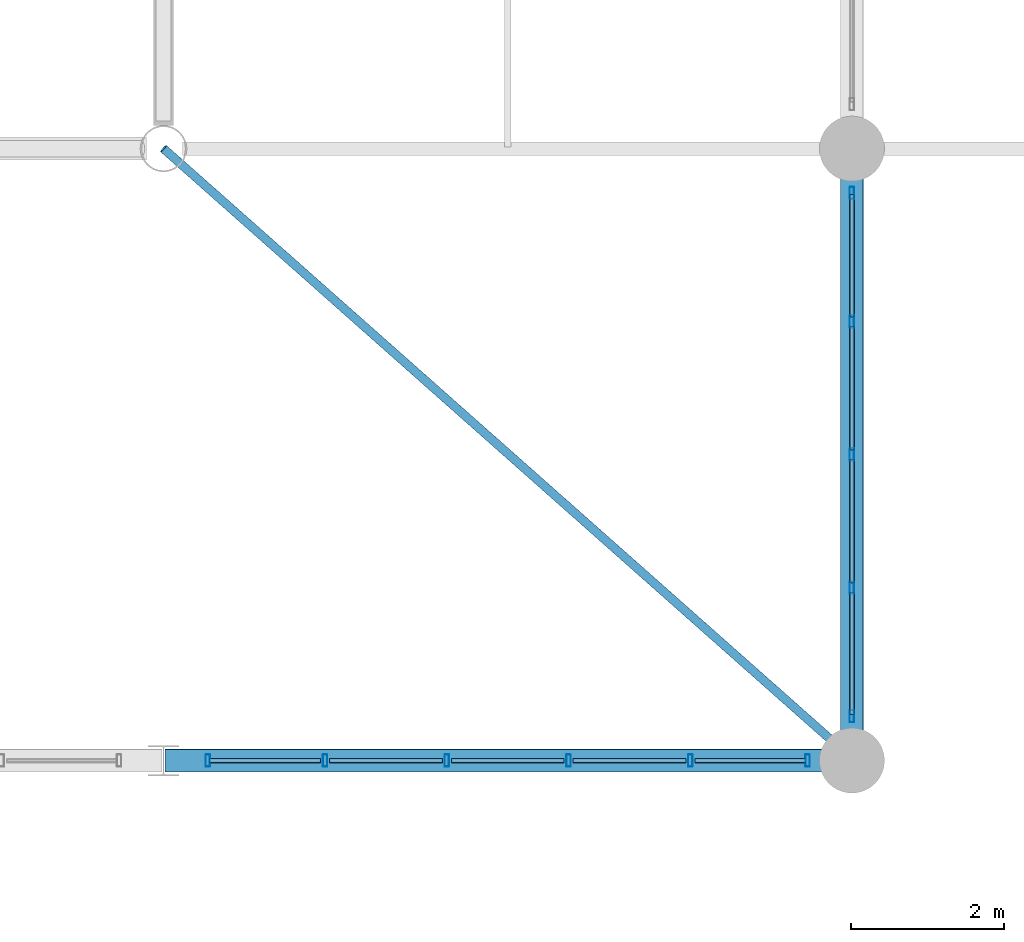
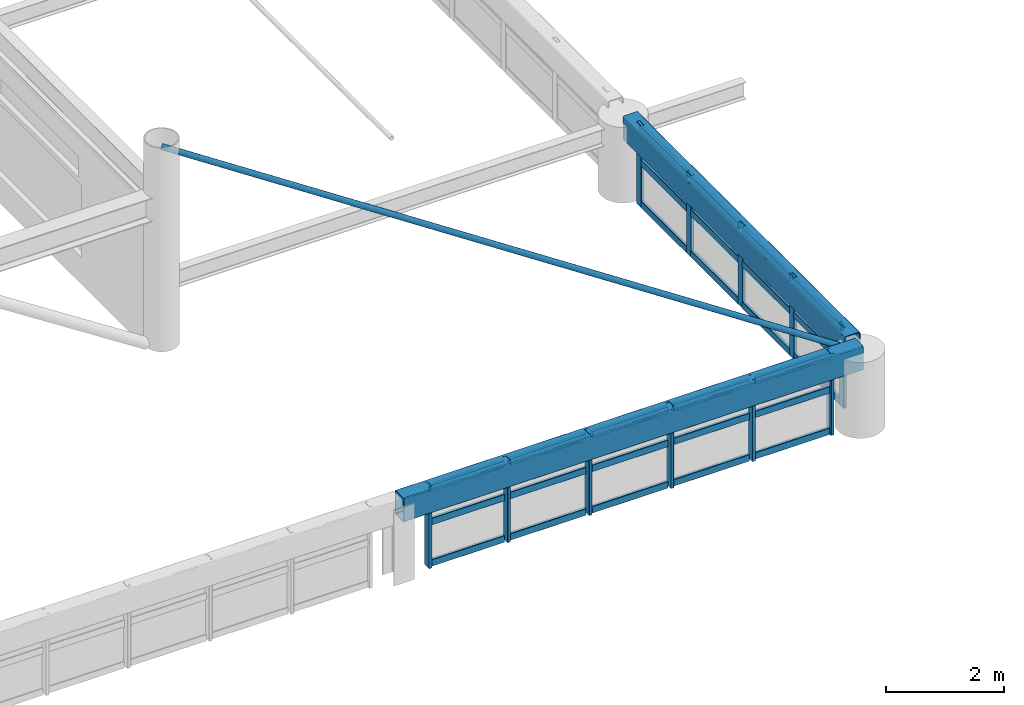
# One storey, part 30 of 128: 39 members, 2 beams, 2 elements without a shape of their own.
"""IFC4 building model written with IfcOpenShell, lengths in metres."""

from ifc_helpers import new_model, si_unit, derived_unit, direction, frame, origin, origin_2d, place, context, subcontext, project, spatial, hollow_rectangle, hollow_circle, extrude, material, material_profile, profile_set, type_object, element, aggregate, save


model = new_model("IFC4")

# Units and contexts
model_context = context("Model", 3, precision=1e-05, world=origin(), true_north=direction((0.0, 1.0)))
body_context = subcontext(model_context, "Body", "Model", "MODEL_VIEW")
ifc_project = project(units=[si_unit("LENGTHUNIT", "METRE"), si_unit("AREAUNIT", "SQUARE_METRE"), si_unit("VOLUMEUNIT", "CUBIC_METRE"), si_unit("PLANEANGLEUNIT", "RADIAN"), si_unit("MASSUNIT", "GRAM", prefix="KILO"), derived_unit("THERMALTRANSMITTANCEUNIT", [(si_unit("MASSUNIT", "GRAM", prefix="KILO"), 1), (si_unit("TIMEUNIT", "SECOND"), -3), (si_unit("THERMODYNAMICTEMPERATUREUNIT", "KELVIN"), -1)])], contexts=[model_context])

# Site, building, storey
site_placement = place(None, origin())
site = spatial("IfcSite", under=ifc_project, at=site_placement, CompositionType="ELEMENT")
building_placement = place(site_placement, origin())
building = spatial("IfcBuilding", under=site, at=building_placement, Name="Zhenchuan Archway Interchange", CompositionType="ELEMENT")
storey_placement = place(building_placement, frame((0.0, 0.0, 14.39990234375)))
storey = spatial("IfcBuildingStorey", under=building, at=storey_placement, Name="L03", CompositionType="ELEMENT", Elevation=14.39990234375)

# Beams
ifc_material_1 = material(Name="Steel Q390", Category="steel")
ifc_material_profile_1 = material_profile(ifc_material_1, hollow_rectangle(XDim=0.300048828125, YDim=0.5, WallThickness=0.01611328125, InnerFilletRadius=0.01611328125, OuterFilletRadius=0.031982421875, at=origin_2d()), Name="RHS 500x300x16")
ifc_profile_set_1 = profile_set([ifc_material_profile_1], Name="Steel Q390")
beam_type = type_object("IfcBeamType", Name="BM_RING_RHS500", PredefinedType="BEAM", material=ifc_profile_set_1)
beam_1_placement = place(storey_placement, frame((63.02001953125, 24.0, 1.4501953125), z_axis=(1.0, 0.0, 0.0), x_axis=(0.0, 1.0, 0.0)))
element("IfcBeam", 1, at=beam_1_placement, inside=storey, type_object=beam_type, Name="CONCOURSE CABLE-NET RING BEAM S-5", PredefinedType="BEAM", context=body_context, shape_type="SweptSolid", body=[
    extrude(hollow_rectangle(XDim=0.300048828125, YDim=0.5, WallThickness=0.01611328125, InnerFilletRadius=0.01611328125, OuterFilletRadius=0.031982421875, at=origin_2d()), origin(), (0.0, 0.0, 1.0), 8.9599609375),
])
beam_2_placement = place(storey_placement, frame((72.0, 24.25, 1.4501953125), z_axis=(0.0, 1.0, 0.0), x_axis=(-1.0, 0.0, 0.0)))
element("IfcBeam", 2, at=beam_2_placement, inside=storey, type_object=beam_type, Name="CONCOURSE CABLE-NET RING BEAM E-1", PredefinedType="BEAM", context=body_context, shape_type="SweptSolid", body=[
    extrude(hollow_rectangle(XDim=0.300048828125, YDim=0.5, WallThickness=0.01611328125, InnerFilletRadius=0.01611328125, OuterFilletRadius=0.031982421875, at=origin_2d()), origin(), (0.0, 0.0, 1.0), 7.5),
])

# Curtain wall, members
ifc_material_2 = material(Name="Anodised Aluminium", Category="aluminium")
curtain_wall_type_1 = type_object("IfcCurtainWallType", Name="CW_UNIT_3", PredefinedType="NOTDEFINED", material=ifc_material_2)
curtain_wall_1_placement = place(storey_placement, origin())
curtain_wall_1 = element("IfcCurtainWall", 3, at=curtain_wall_1_placement, inside=storey, type_object=curtain_wall_type_1, Name="Unitised curtain wall CW:L03:RING-E1", PredefinedType="NOTDEFINED")
ifc_material_profile_2 = material_profile(ifc_material_2, hollow_rectangle(XDim=0.06005859375, YDim=0.159912109375, WallThickness=0.00390625, InnerFilletRadius=0.00390625, OuterFilletRadius=0.008056640625, at=origin_2d()), Name="ALU 160x60x4")
ifc_profile_set_2 = profile_set([ifc_material_profile_2], Name="Anodised Aluminium")
member_type_1 = type_object("IfcMemberType", Name="CW_MUL_150", PredefinedType="MULLION", material=ifc_profile_set_2)
member_1_placement = place(storey_placement, frame((72.0, 24.580078125, 0.02001953125), z_axis=(0.0, 0.0, 1.0), x_axis=(1.0, 0.0, 0.0)))
member_1 = element("IfcMember", 4, at=member_1_placement, type_object=member_type_1, Name="CW:L03:RING-E1 mullion 0", PredefinedType="MULLION", context=body_context, shape_type="SweptSolid", body=[
    extrude(hollow_rectangle(XDim=0.06005859375, YDim=0.159912109375, WallThickness=0.00390625, InnerFilletRadius=0.00390625, OuterFilletRadius=0.008056640625, at=origin_2d()), origin(), (0.0, 0.0, 1.0), 1.68017578125),
])
member_2_placement = place(storey_placement, frame((72.0, 26.260009765625, 0.02001953125), z_axis=(0.0, 0.0, 1.0), x_axis=(1.0, 0.0, 0.0)))
member_2 = element("IfcMember", 5, at=member_2_placement, type_object=member_type_1, Name="CW:L03:RING-E1 mullion 1", PredefinedType="MULLION", context=body_context, shape_type="SweptSolid", body=[
    extrude(hollow_rectangle(XDim=0.06005859375, YDim=0.159912109375, WallThickness=0.00390625, InnerFilletRadius=0.00390625, OuterFilletRadius=0.008056640625, at=origin_2d()), origin(), (0.0, 0.0, 1.0), 1.68017578125),
])
member_3_placement = place(storey_placement, frame((72.0, 28.0, 0.02001953125), z_axis=(0.0, 0.0, 1.0), x_axis=(1.0, 0.0, 0.0)))
member_3 = element("IfcMember", 6, at=member_3_placement, type_object=member_type_1, Name="CW:L03:RING-E1 mullion 2", PredefinedType="MULLION", context=body_context, shape_type="SweptSolid", body=[
    extrude(hollow_rectangle(XDim=0.06005859375, YDim=0.159912109375, WallThickness=0.00390625, InnerFilletRadius=0.00390625, OuterFilletRadius=0.008056640625, at=origin_2d()), origin(), (0.0, 0.0, 1.0), 1.68017578125),
])
member_4_placement = place(storey_placement, frame((72.0, 29.739990234375, 0.02001953125), z_axis=(0.0, 0.0, 1.0), x_axis=(1.0, 0.0, 0.0)))
member_4 = element("IfcMember", 7, at=member_4_placement, type_object=member_type_1, Name="CW:L03:RING-E1 mullion 3", PredefinedType="MULLION", context=body_context, shape_type="SweptSolid", body=[
    extrude(hollow_rectangle(XDim=0.06005859375, YDim=0.159912109375, WallThickness=0.00390625, InnerFilletRadius=0.00390625, OuterFilletRadius=0.008056640625, at=origin_2d()), origin(), (0.0, 0.0, 1.0), 1.68017578125),
])
member_5_placement = place(storey_placement, frame((72.0, 31.419921875, 0.02001953125), z_axis=(0.0, 0.0, 1.0), x_axis=(1.0, 0.0, 0.0)))
member_5 = element("IfcMember", 8, at=member_5_placement, type_object=member_type_1, Name="CW:L03:RING-E1 mullion 4", PredefinedType="MULLION", context=body_context, shape_type="SweptSolid", body=[
    extrude(hollow_rectangle(XDim=0.06005859375, YDim=0.159912109375, WallThickness=0.00390625, InnerFilletRadius=0.00390625, OuterFilletRadius=0.008056640625, at=origin_2d()), origin(), (0.0, 0.0, 1.0), 1.68017578125),
])

curtain_wall_type_2 = type_object("IfcCurtainWallType", Name="CW_UNIT_4", PredefinedType="NOTDEFINED", material=ifc_material_2)
curtain_wall_2_placement = place(storey_placement, origin())
curtain_wall_2 = element("IfcCurtainWall", 9, at=curtain_wall_2_placement, inside=storey, type_object=curtain_wall_type_2, Name="Unitised curtain wall CW:L03:RING-S5", PredefinedType="NOTDEFINED")
member_6_placement = place(storey_placement, frame((63.580078125, 24.0, 0.02001953125), z_axis=(0.0, 0.0, 1.0), x_axis=(1.0, 0.0, 0.0)))
member_6 = element("IfcMember", 10, at=member_6_placement, type_object=member_type_1, Name="CW:L03:RING-S5 mullion 0", PredefinedType="MULLION", context=body_context, shape_type="SweptSolid", body=[
    extrude(hollow_rectangle(XDim=0.06005859375, YDim=0.159912109375, WallThickness=0.00390625, InnerFilletRadius=0.00390625, OuterFilletRadius=0.008056640625, at=origin_2d()), origin(), (0.0, 0.0, 1.0), 1.68017578125),
])
member_7_placement = place(storey_placement, frame((65.112060546875, 24.0, 0.02001953125), z_axis=(0.0, 0.0, 1.0), x_axis=(1.0, 0.0, 0.0)))
member_7 = element("IfcMember", 11, at=member_7_placement, type_object=member_type_1, Name="CW:L03:RING-S5 mullion 1", PredefinedType="MULLION", context=body_context, shape_type="SweptSolid", body=[
    extrude(hollow_rectangle(XDim=0.06005859375, YDim=0.159912109375, WallThickness=0.00390625, InnerFilletRadius=0.00390625, OuterFilletRadius=0.008056640625, at=origin_2d()), origin(), (0.0, 0.0, 1.0), 1.68017578125),
])
member_8_placement = place(storey_placement, frame((66.7041015625, 24.0, 0.02001953125), z_axis=(0.0, 0.0, 1.0), x_axis=(1.0, 0.0, 0.0)))
member_8 = element("IfcMember", 12, at=member_8_placement, type_object=member_type_1, Name="CW:L03:RING-S5 mullion 2", PredefinedType="MULLION", context=body_context, shape_type="SweptSolid", body=[
    extrude(hollow_rectangle(XDim=0.06005859375, YDim=0.159912109375, WallThickness=0.00390625, InnerFilletRadius=0.00390625, OuterFilletRadius=0.008056640625, at=origin_2d()), origin(), (0.0, 0.0, 1.0), 1.68017578125),
])
member_9_placement = place(storey_placement, frame((68.2958984375, 24.0, 0.02001953125), z_axis=(0.0, 0.0, 1.0), x_axis=(1.0, 0.0, 0.0)))
member_9 = element("IfcMember", 13, at=member_9_placement, type_object=member_type_1, Name="CW:L03:RING-S5 mullion 3", PredefinedType="MULLION", context=body_context, shape_type="SweptSolid", body=[
    extrude(hollow_rectangle(XDim=0.06005859375, YDim=0.159912109375, WallThickness=0.00390625, InnerFilletRadius=0.00390625, OuterFilletRadius=0.008056640625, at=origin_2d()), origin(), (0.0, 0.0, 1.0), 1.68017578125),
])
member_10_placement = place(storey_placement, frame((69.887939453125, 24.0, 0.02001953125), z_axis=(0.0, 0.0, 1.0), x_axis=(1.0, 0.0, 0.0)))
member_10 = element("IfcMember", 14, at=member_10_placement, type_object=member_type_1, Name="CW:L03:RING-S5 mullion 4", PredefinedType="MULLION", context=body_context, shape_type="SweptSolid", body=[
    extrude(hollow_rectangle(XDim=0.06005859375, YDim=0.159912109375, WallThickness=0.00390625, InnerFilletRadius=0.00390625, OuterFilletRadius=0.008056640625, at=origin_2d()), origin(), (0.0, 0.0, 1.0), 1.68017578125),
])
member_11_placement = place(storey_placement, frame((71.419921875, 24.0, 0.02001953125), z_axis=(0.0, 0.0, 1.0), x_axis=(1.0, 0.0, 0.0)))
member_11 = element("IfcMember", 15, at=member_11_placement, type_object=member_type_1, Name="CW:L03:RING-S5 mullion 5", PredefinedType="MULLION", context=body_context, shape_type="SweptSolid", body=[
    extrude(hollow_rectangle(XDim=0.06005859375, YDim=0.159912109375, WallThickness=0.00390625, InnerFilletRadius=0.00390625, OuterFilletRadius=0.008056640625, at=origin_2d()), origin(), (0.0, 0.0, 1.0), 1.68017578125),
])

# Member
ifc_material_profile_3 = material_profile(ifc_material_2, hollow_rectangle(XDim=0.06005859375, YDim=0.139892578125, WallThickness=0.00341796875, InnerFilletRadius=0.00341796875, OuterFilletRadius=0.007080078125, at=origin_2d()), Name="ALU 140x60x3.5")
ifc_profile_set_3 = profile_set([ifc_material_profile_3], Name="Anodised Aluminium")
member_type_2 = type_object("IfcMemberType", Name="CW_TRN_140", PredefinedType="USERDEFINED", material=ifc_profile_set_3)
member_12_placement = place(storey_placement, frame((72.0, 24.60009765625, 0.080078125), z_axis=(0.0, 1.0, 0.0), x_axis=(-1.0, 0.0, 0.0)))
member_12 = element("IfcMember", 16, at=member_12_placement, type_object=member_type_2, Name="CW:L03:RING-E1 transom 0-1", ObjectType="TRANSOM", PredefinedType="USERDEFINED", context=body_context, shape_type="SweptSolid", body=[
    extrude(hollow_rectangle(XDim=0.06005859375, YDim=0.139892578125, WallThickness=0.00341796875, InnerFilletRadius=0.00341796875, OuterFilletRadius=0.007080078125, at=origin_2d()), origin(), (0.0, 0.0, 1.0), 1.599853515625),
])

member_13_placement = place(storey_placement, frame((72.0, 24.60009765625, 0.93310546875), z_axis=(0.0, 1.0, 0.0), x_axis=(-1.0, 0.0, 0.0)))
member_13 = element("IfcMember", 17, at=member_13_placement, type_object=member_type_2, Name="CW:L03:RING-E1 transom 0-2", ObjectType="TRANSOM", PredefinedType="USERDEFINED", context=body_context, shape_type="SweptSolid", body=[
    extrude(hollow_rectangle(XDim=0.06005859375, YDim=0.139892578125, WallThickness=0.00341796875, InnerFilletRadius=0.00341796875, OuterFilletRadius=0.007080078125, at=origin_2d()), origin(), (0.0, 0.0, 1.0), 1.599853515625),
])

member_14_placement = place(storey_placement, frame((72.0, 24.60009765625, 1.6201171875), z_axis=(0.0, 1.0, 0.0), x_axis=(-1.0, 0.0, 0.0)))
member_14 = element("IfcMember", 18, at=member_14_placement, type_object=member_type_2, Name="CW:L03:RING-E1 transom 0-3", ObjectType="TRANSOM", PredefinedType="USERDEFINED", context=body_context, shape_type="SweptSolid", body=[
    extrude(hollow_rectangle(XDim=0.06005859375, YDim=0.139892578125, WallThickness=0.00341796875, InnerFilletRadius=0.00341796875, OuterFilletRadius=0.007080078125, at=origin_2d()), origin(), (0.0, 0.0, 1.0), 1.599853515625),
])

member_15_placement = place(storey_placement, frame((72.0, 26.320068359375, 0.080078125), z_axis=(0.0, 1.0, 0.0), x_axis=(-1.0, 0.0, 0.0)))
member_15 = element("IfcMember", 19, at=member_15_placement, type_object=member_type_2, Name="CW:L03:RING-E1 transom 1-1", ObjectType="TRANSOM", PredefinedType="USERDEFINED", context=body_context, shape_type="SweptSolid", body=[
    extrude(hollow_rectangle(XDim=0.06005859375, YDim=0.139892578125, WallThickness=0.00341796875, InnerFilletRadius=0.00341796875, OuterFilletRadius=0.007080078125, at=origin_2d()), origin(), (0.0, 0.0, 1.0), 1.619873046875),
])

member_16_placement = place(storey_placement, frame((72.0, 26.320068359375, 0.93310546875), z_axis=(0.0, 1.0, 0.0), x_axis=(-1.0, 0.0, 0.0)))
member_16 = element("IfcMember", 20, at=member_16_placement, type_object=member_type_2, Name="CW:L03:RING-E1 transom 1-2", ObjectType="TRANSOM", PredefinedType="USERDEFINED", context=body_context, shape_type="SweptSolid", body=[
    extrude(hollow_rectangle(XDim=0.06005859375, YDim=0.139892578125, WallThickness=0.00341796875, InnerFilletRadius=0.00341796875, OuterFilletRadius=0.007080078125, at=origin_2d()), origin(), (0.0, 0.0, 1.0), 1.619873046875),
])

member_17_placement = place(storey_placement, frame((72.0, 26.320068359375, 1.6201171875), z_axis=(0.0, 1.0, 0.0), x_axis=(-1.0, 0.0, 0.0)))
member_17 = element("IfcMember", 21, at=member_17_placement, type_object=member_type_2, Name="CW:L03:RING-E1 transom 1-3", ObjectType="TRANSOM", PredefinedType="USERDEFINED", context=body_context, shape_type="SweptSolid", body=[
    extrude(hollow_rectangle(XDim=0.06005859375, YDim=0.139892578125, WallThickness=0.00341796875, InnerFilletRadius=0.00341796875, OuterFilletRadius=0.007080078125, at=origin_2d()), origin(), (0.0, 0.0, 1.0), 1.619873046875),
])

member_18_placement = place(storey_placement, frame((72.0, 28.06005859375, 0.080078125), z_axis=(0.0, 1.0, 0.0), x_axis=(-1.0, 0.0, 0.0)))
member_18 = element("IfcMember", 22, at=member_18_placement, type_object=member_type_2, Name="CW:L03:RING-E1 transom 2-1", ObjectType="TRANSOM", PredefinedType="USERDEFINED", context=body_context, shape_type="SweptSolid", body=[
    extrude(hollow_rectangle(XDim=0.06005859375, YDim=0.139892578125, WallThickness=0.00341796875, InnerFilletRadius=0.00341796875, OuterFilletRadius=0.007080078125, at=origin_2d()), origin(), (0.0, 0.0, 1.0), 1.619873046875),
])

member_19_placement = place(storey_placement, frame((72.0, 28.06005859375, 0.93310546875), z_axis=(0.0, 1.0, 0.0), x_axis=(-1.0, 0.0, 0.0)))
member_19 = element("IfcMember", 23, at=member_19_placement, type_object=member_type_2, Name="CW:L03:RING-E1 transom 2-2", ObjectType="TRANSOM", PredefinedType="USERDEFINED", context=body_context, shape_type="SweptSolid", body=[
    extrude(hollow_rectangle(XDim=0.06005859375, YDim=0.139892578125, WallThickness=0.00341796875, InnerFilletRadius=0.00341796875, OuterFilletRadius=0.007080078125, at=origin_2d()), origin(), (0.0, 0.0, 1.0), 1.619873046875),
])

member_20_placement = place(storey_placement, frame((72.0, 28.06005859375, 1.6201171875), z_axis=(0.0, 1.0, 0.0), x_axis=(-1.0, 0.0, 0.0)))
member_20 = element("IfcMember", 24, at=member_20_placement, type_object=member_type_2, Name="CW:L03:RING-E1 transom 2-3", ObjectType="TRANSOM", PredefinedType="USERDEFINED", context=body_context, shape_type="SweptSolid", body=[
    extrude(hollow_rectangle(XDim=0.06005859375, YDim=0.139892578125, WallThickness=0.00341796875, InnerFilletRadius=0.00341796875, OuterFilletRadius=0.007080078125, at=origin_2d()), origin(), (0.0, 0.0, 1.0), 1.619873046875),
])

member_21_placement = place(storey_placement, frame((72.0, 29.800048828125, 0.080078125), z_axis=(0.0, 1.0, 0.0), x_axis=(-1.0, 0.0, 0.0)))
member_21 = element("IfcMember", 25, at=member_21_placement, type_object=member_type_2, Name="CW:L03:RING-E1 transom 3-1", ObjectType="TRANSOM", PredefinedType="USERDEFINED", context=body_context, shape_type="SweptSolid", body=[
    extrude(hollow_rectangle(XDim=0.06005859375, YDim=0.139892578125, WallThickness=0.00341796875, InnerFilletRadius=0.00341796875, OuterFilletRadius=0.007080078125, at=origin_2d()), origin(), (0.0, 0.0, 1.0), 1.599853515625),
])

member_22_placement = place(storey_placement, frame((72.0, 29.800048828125, 0.93310546875), z_axis=(0.0, 1.0, 0.0), x_axis=(-1.0, 0.0, 0.0)))
member_22 = element("IfcMember", 26, at=member_22_placement, type_object=member_type_2, Name="CW:L03:RING-E1 transom 3-2", ObjectType="TRANSOM", PredefinedType="USERDEFINED", context=body_context, shape_type="SweptSolid", body=[
    extrude(hollow_rectangle(XDim=0.06005859375, YDim=0.139892578125, WallThickness=0.00341796875, InnerFilletRadius=0.00341796875, OuterFilletRadius=0.007080078125, at=origin_2d()), origin(), (0.0, 0.0, 1.0), 1.599853515625),
])

member_23_placement = place(storey_placement, frame((72.0, 29.800048828125, 1.6201171875), z_axis=(0.0, 1.0, 0.0), x_axis=(-1.0, 0.0, 0.0)))
member_23 = element("IfcMember", 27, at=member_23_placement, type_object=member_type_2, Name="CW:L03:RING-E1 transom 3-3", ObjectType="TRANSOM", PredefinedType="USERDEFINED", context=body_context, shape_type="SweptSolid", body=[
    extrude(hollow_rectangle(XDim=0.06005859375, YDim=0.139892578125, WallThickness=0.00341796875, InnerFilletRadius=0.00341796875, OuterFilletRadius=0.007080078125, at=origin_2d()), origin(), (0.0, 0.0, 1.0), 1.599853515625),
])

aggregate(curtain_wall_1, [member_1, member_2, member_3, member_4, member_5, member_12, member_13, member_14, member_15, member_16, member_17, member_18, member_19, member_20, member_21, member_22, member_23])

member_24_placement = place(storey_placement, frame((63.60009765625, 24.0, 0.080078125), z_axis=(1.0, 0.0, 0.0), x_axis=(0.0, 1.0, 0.0)))
member_24 = element("IfcMember", 28, at=member_24_placement, type_object=member_type_2, Name="CW:L03:RING-S5 transom 0-1", ObjectType="TRANSOM", PredefinedType="USERDEFINED", context=body_context, shape_type="SweptSolid", body=[
    extrude(hollow_rectangle(XDim=0.06005859375, YDim=0.139892578125, WallThickness=0.00341796875, InnerFilletRadius=0.00341796875, OuterFilletRadius=0.007080078125, at=origin_2d()), origin(), (0.0, 0.0, 1.0), 1.451904296875),
])

member_25_placement = place(storey_placement, frame((63.60009765625, 24.0, 0.93310546875), z_axis=(1.0, 0.0, 0.0), x_axis=(0.0, 1.0, 0.0)))
member_25 = element("IfcMember", 29, at=member_25_placement, type_object=member_type_2, Name="CW:L03:RING-S5 transom 0-2", ObjectType="TRANSOM", PredefinedType="USERDEFINED", context=body_context, shape_type="SweptSolid", body=[
    extrude(hollow_rectangle(XDim=0.06005859375, YDim=0.139892578125, WallThickness=0.00341796875, InnerFilletRadius=0.00341796875, OuterFilletRadius=0.007080078125, at=origin_2d()), origin(), (0.0, 0.0, 1.0), 1.451904296875),
])

member_26_placement = place(storey_placement, frame((63.60009765625, 24.0, 1.6201171875), z_axis=(1.0, 0.0, 0.0), x_axis=(0.0, 1.0, 0.0)))
member_26 = element("IfcMember", 30, at=member_26_placement, type_object=member_type_2, Name="CW:L03:RING-S5 transom 0-3", ObjectType="TRANSOM", PredefinedType="USERDEFINED", context=body_context, shape_type="SweptSolid", body=[
    extrude(hollow_rectangle(XDim=0.06005859375, YDim=0.139892578125, WallThickness=0.00341796875, InnerFilletRadius=0.00341796875, OuterFilletRadius=0.007080078125, at=origin_2d()), origin(), (0.0, 0.0, 1.0), 1.451904296875),
])

member_27_placement = place(storey_placement, frame((65.172119140625, 24.0, 0.080078125), z_axis=(1.0, 0.0, 0.0), x_axis=(0.0, 1.0, 0.0)))
member_27 = element("IfcMember", 31, at=member_27_placement, type_object=member_type_2, Name="CW:L03:RING-S5 transom 1-1", ObjectType="TRANSOM", PredefinedType="USERDEFINED", context=body_context, shape_type="SweptSolid", body=[
    extrude(hollow_rectangle(XDim=0.06005859375, YDim=0.139892578125, WallThickness=0.00341796875, InnerFilletRadius=0.00341796875, OuterFilletRadius=0.007080078125, at=origin_2d()), origin(), (0.0, 0.0, 1.0), 1.471923828125),
])

member_28_placement = place(storey_placement, frame((65.172119140625, 24.0, 0.93310546875), z_axis=(1.0, 0.0, 0.0), x_axis=(0.0, 1.0, 0.0)))
member_28 = element("IfcMember", 32, at=member_28_placement, type_object=member_type_2, Name="CW:L03:RING-S5 transom 1-2", ObjectType="TRANSOM", PredefinedType="USERDEFINED", context=body_context, shape_type="SweptSolid", body=[
    extrude(hollow_rectangle(XDim=0.06005859375, YDim=0.139892578125, WallThickness=0.00341796875, InnerFilletRadius=0.00341796875, OuterFilletRadius=0.007080078125, at=origin_2d()), origin(), (0.0, 0.0, 1.0), 1.471923828125),
])

member_29_placement = place(storey_placement, frame((65.172119140625, 24.0, 1.6201171875), z_axis=(1.0, 0.0, 0.0), x_axis=(0.0, 1.0, 0.0)))
member_29 = element("IfcMember", 33, at=member_29_placement, type_object=member_type_2, Name="CW:L03:RING-S5 transom 1-3", ObjectType="TRANSOM", PredefinedType="USERDEFINED", context=body_context, shape_type="SweptSolid", body=[
    extrude(hollow_rectangle(XDim=0.06005859375, YDim=0.139892578125, WallThickness=0.00341796875, InnerFilletRadius=0.00341796875, OuterFilletRadius=0.007080078125, at=origin_2d()), origin(), (0.0, 0.0, 1.0), 1.471923828125),
])

member_30_placement = place(storey_placement, frame((66.763916015625, 24.0, 0.080078125), z_axis=(1.0, 0.0, 0.0), x_axis=(0.0, 1.0, 0.0)))
member_30 = element("IfcMember", 34, at=member_30_placement, type_object=member_type_2, Name="CW:L03:RING-S5 transom 2-1", ObjectType="TRANSOM", PredefinedType="USERDEFINED", context=body_context, shape_type="SweptSolid", body=[
    extrude(hollow_rectangle(XDim=0.06005859375, YDim=0.139892578125, WallThickness=0.00341796875, InnerFilletRadius=0.00341796875, OuterFilletRadius=0.007080078125, at=origin_2d()), origin(), (0.0, 0.0, 1.0), 1.47216796875),
])

member_31_placement = place(storey_placement, frame((66.763916015625, 24.0, 0.93310546875), z_axis=(1.0, 0.0, 0.0), x_axis=(0.0, 1.0, 0.0)))
member_31 = element("IfcMember", 35, at=member_31_placement, type_object=member_type_2, Name="CW:L03:RING-S5 transom 2-2", ObjectType="TRANSOM", PredefinedType="USERDEFINED", context=body_context, shape_type="SweptSolid", body=[
    extrude(hollow_rectangle(XDim=0.06005859375, YDim=0.139892578125, WallThickness=0.00341796875, InnerFilletRadius=0.00341796875, OuterFilletRadius=0.007080078125, at=origin_2d()), origin(), (0.0, 0.0, 1.0), 1.47216796875),
])

member_32_placement = place(storey_placement, frame((66.763916015625, 24.0, 1.6201171875), z_axis=(1.0, 0.0, 0.0), x_axis=(0.0, 1.0, 0.0)))
member_32 = element("IfcMember", 36, at=member_32_placement, type_object=member_type_2, Name="CW:L03:RING-S5 transom 2-3", ObjectType="TRANSOM", PredefinedType="USERDEFINED", context=body_context, shape_type="SweptSolid", body=[
    extrude(hollow_rectangle(XDim=0.06005859375, YDim=0.139892578125, WallThickness=0.00341796875, InnerFilletRadius=0.00341796875, OuterFilletRadius=0.007080078125, at=origin_2d()), origin(), (0.0, 0.0, 1.0), 1.47216796875),
])

member_33_placement = place(storey_placement, frame((68.35595703125, 24.0, 0.080078125), z_axis=(1.0, 0.0, 0.0), x_axis=(0.0, 1.0, 0.0)))
member_33 = element("IfcMember", 37, at=member_33_placement, type_object=member_type_2, Name="CW:L03:RING-S5 transom 3-1", ObjectType="TRANSOM", PredefinedType="USERDEFINED", context=body_context, shape_type="SweptSolid", body=[
    extrude(hollow_rectangle(XDim=0.06005859375, YDim=0.139892578125, WallThickness=0.00341796875, InnerFilletRadius=0.00341796875, OuterFilletRadius=0.007080078125, at=origin_2d()), origin(), (0.0, 0.0, 1.0), 1.471923828125),
])

member_34_placement = place(storey_placement, frame((68.35595703125, 24.0, 0.93310546875), z_axis=(1.0, 0.0, 0.0), x_axis=(0.0, 1.0, 0.0)))
member_34 = element("IfcMember", 38, at=member_34_placement, type_object=member_type_2, Name="CW:L03:RING-S5 transom 3-2", ObjectType="TRANSOM", PredefinedType="USERDEFINED", context=body_context, shape_type="SweptSolid", body=[
    extrude(hollow_rectangle(XDim=0.06005859375, YDim=0.139892578125, WallThickness=0.00341796875, InnerFilletRadius=0.00341796875, OuterFilletRadius=0.007080078125, at=origin_2d()), origin(), (0.0, 0.0, 1.0), 1.471923828125),
])

member_35_placement = place(storey_placement, frame((68.35595703125, 24.0, 1.6201171875), z_axis=(1.0, 0.0, 0.0), x_axis=(0.0, 1.0, 0.0)))
member_35 = element("IfcMember", 39, at=member_35_placement, type_object=member_type_2, Name="CW:L03:RING-S5 transom 3-3", ObjectType="TRANSOM", PredefinedType="USERDEFINED", context=body_context, shape_type="SweptSolid", body=[
    extrude(hollow_rectangle(XDim=0.06005859375, YDim=0.139892578125, WallThickness=0.00341796875, InnerFilletRadius=0.00341796875, OuterFilletRadius=0.007080078125, at=origin_2d()), origin(), (0.0, 0.0, 1.0), 1.471923828125),
])

member_36_placement = place(storey_placement, frame((69.947998046875, 24.0, 0.080078125), z_axis=(1.0, 0.0, 0.0), x_axis=(0.0, 1.0, 0.0)))
member_36 = element("IfcMember", 40, at=member_36_placement, type_object=member_type_2, Name="CW:L03:RING-S5 transom 4-1", ObjectType="TRANSOM", PredefinedType="USERDEFINED", context=body_context, shape_type="SweptSolid", body=[
    extrude(hollow_rectangle(XDim=0.06005859375, YDim=0.139892578125, WallThickness=0.00341796875, InnerFilletRadius=0.00341796875, OuterFilletRadius=0.007080078125, at=origin_2d()), origin(), (0.0, 0.0, 1.0), 1.451904296875),
])

member_37_placement = place(storey_placement, frame((69.947998046875, 24.0, 0.93310546875), z_axis=(1.0, 0.0, 0.0), x_axis=(0.0, 1.0, 0.0)))
member_37 = element("IfcMember", 41, at=member_37_placement, type_object=member_type_2, Name="CW:L03:RING-S5 transom 4-2", ObjectType="TRANSOM", PredefinedType="USERDEFINED", context=body_context, shape_type="SweptSolid", body=[
    extrude(hollow_rectangle(XDim=0.06005859375, YDim=0.139892578125, WallThickness=0.00341796875, InnerFilletRadius=0.00341796875, OuterFilletRadius=0.007080078125, at=origin_2d()), origin(), (0.0, 0.0, 1.0), 1.451904296875),
])

member_38_placement = place(storey_placement, frame((69.947998046875, 24.0, 1.6201171875), z_axis=(1.0, 0.0, 0.0), x_axis=(0.0, 1.0, 0.0)))
member_38 = element("IfcMember", 42, at=member_38_placement, type_object=member_type_2, Name="CW:L03:RING-S5 transom 4-3", ObjectType="TRANSOM", PredefinedType="USERDEFINED", context=body_context, shape_type="SweptSolid", body=[
    extrude(hollow_rectangle(XDim=0.06005859375, YDim=0.139892578125, WallThickness=0.00341796875, InnerFilletRadius=0.00341796875, OuterFilletRadius=0.007080078125, at=origin_2d()), origin(), (0.0, 0.0, 1.0), 1.451904296875),
])

aggregate(curtain_wall_2, [member_6, member_7, member_8, member_9, member_10, member_11, member_24, member_25, member_26, member_27, member_28, member_29, member_30, member_31, member_32, member_33, member_34, member_35, member_36, member_37, member_38])

ifc_material_profile_4 = material_profile(ifc_material_1, hollow_circle(Radius=0.056884765625, WallThickness=0.006103515625, at=origin_2d()), Name="CHS 114x6")
ifc_profile_set_4 = profile_set([ifc_material_profile_4], Name="Steel Q390")
member_type_3 = type_object("IfcMemberType", Name="MB_CBL_CHS114", PredefinedType="USERDEFINED", material=ifc_profile_set_4)
member_39_placement = place(storey_placement, frame((63.0, 32.0, 4.02001953125), z_axis=(0.732414406249, -0.648709902677, -0.206747671541), x_axis=(0.663035245296, 0.748588180173, 0.0)))
element("IfcMember", 43, at=member_39_placement, inside=storey, type_object=member_type_3, Name="CONCOURSE ROOF CABLE hip anchor strand SE1", ObjectType="CABLE", PredefinedType="USERDEFINED", context=body_context, shape_type="SweptSolid", body=[
    extrude(hollow_circle(Radius=0.056884765625, WallThickness=0.006103515625, at=origin_2d()), origin(), (0.0, 0.0, 1.0), 11.94677734375),
])

save(model, "model.ifc")
